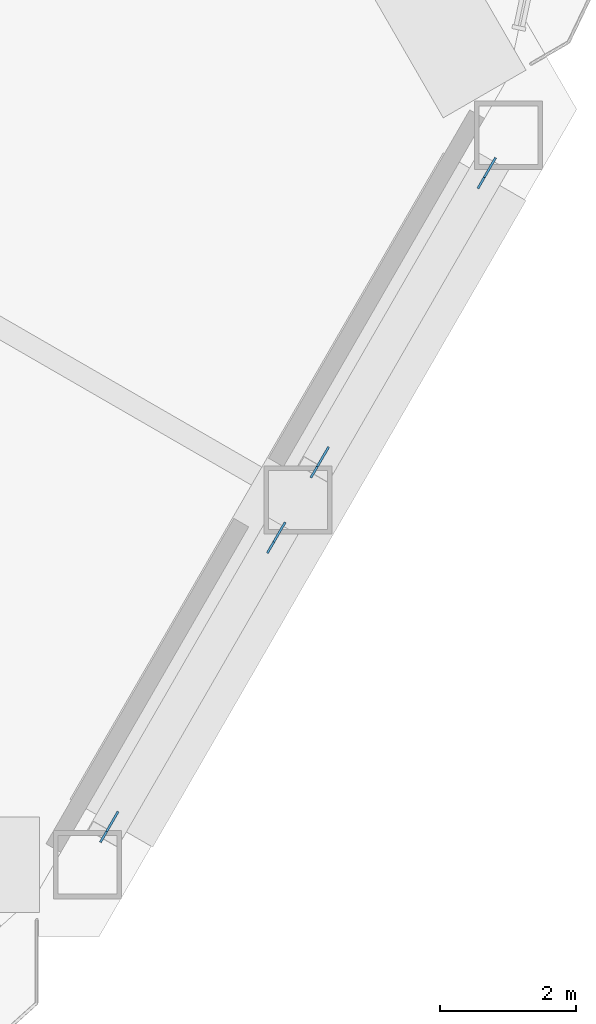
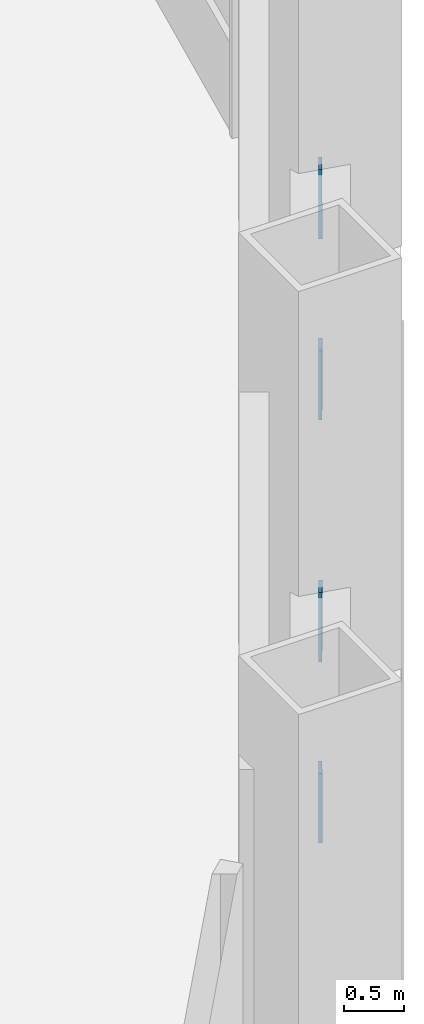
# One storey, part 15 of 22: 4 discrete accessories.
"""IFC4 building model written with IfcOpenShell, lengths in metres."""

import ifcopenshell
import ifcopenshell.guid

model = None  # the IFC model being written
_history = None  # IfcOwnerHistory: only IFC2X3 demands one
_inside = {}  # id of a spatial element -> (the spatial element, [elements in it])
_under = {}  # id of a project, library or spatial element -> (it, [spatial elements below it])
_declared = {}  # id of a project -> (the project, [libraries it declares])
_typed = {}  # id of a type object -> (the type object, [elements of that type])
_made_of = {}  # id of a material, layer set ... -> (it, [elements and type objects made of it])


def new_model(schema):
    """Start an empty IFC model of exactly this schema.

    Asked for "IFC4X3", IfcOpenShell would pick the latest addendum, in which some entities
    have other attributes; the version numbers below select the first issue.
    IFC2X3 requires an IfcOwnerHistory on every rooted entity: one is made here for all.
    """
    global model, _history
    if schema == "IFC4X3":
        model = ifcopenshell.file(schema_version=(4, 3, 0, 0))
    else:
        model = ifcopenshell.file(schema=schema)
    _inside.clear()
    _under.clear()
    _declared.clear()
    _typed.clear()
    _made_of.clear()
    _history = None
    if model.schema == "IFC2X3":
        org = make("IfcOrganization", Name="unknown")
        user = make(
            "IfcPersonAndOrganization",
            ThePerson=make("IfcPerson", FamilyName="unknown"),
            TheOrganization=org,
        )
        app = make(
            "IfcApplication",
            ApplicationDeveloper=org,
            Version="unknown",
            ApplicationFullName="unknown",
            ApplicationIdentifier="unknown",
        )
        _history = make(
            "IfcOwnerHistory",
            OwningUser=user,
            OwningApplication=app,
            ChangeAction="ADDED",
            CreationDate=0,
        )
    return model


def make(cls, **values):
    """One entity of the class cls with the attributes given. An attribute that is None is left unset."""
    return model.create_entity(
        cls, **{name: value for name, value in values.items() if value is not None}
    )


def rooted(cls, **values):
    """An entity with a GlobalId (a new one), such as an element, a storey or a relation."""
    return make(cls, GlobalId=ifcopenshell.guid.new(), OwnerHistory=_history, **values)


def si_unit(unit_type, name, prefix=None):
    """IfcSIUnit, for example si_unit("LENGTHUNIT", "METRE", prefix="MILLI")."""
    return make("IfcSIUnit", UnitType=unit_type, Prefix=prefix, Name=name)


def assignment(units):
    """IfcUnitAssignment: the units of a project."""
    return None if units is None else make("IfcUnitAssignment", Units=units)


def point(xyz):
    """IfcCartesianPoint."""
    return None if xyz is None else make("IfcCartesianPoint", Coordinates=xyz)


def direction(xyz):
    """IfcDirection."""
    return None if xyz is None else make("IfcDirection", DirectionRatios=xyz)


def frame(location, z_axis=None, x_axis=None):
    """IfcAxis2Placement3D, a coordinate frame: its origin and axes. An axis left out is left unset."""
    return make(
        "IfcAxis2Placement3D",
        Location=point(location),
        Axis=direction(z_axis),
        RefDirection=direction(x_axis),
    )


def frame_2d(location, x_axis=None):
    """IfcAxis2Placement2D, a coordinate frame in the plane: its origin and x axis."""
    return make(
        "IfcAxis2Placement2D", Location=point(location), RefDirection=direction(x_axis)
    )


def origin():
    """The frame at (0, 0, 0) with its axes left unset."""
    return frame((0.0, 0.0, 0.0))


def origin_2d():
    """The frame at (0, 0) in the plane with its x axis left unset."""
    return frame_2d((0.0, 0.0))


def place(relative_to, where):
    """IfcLocalPlacement: puts the frame where relative to a parent placement (None: the world)."""
    return make(
        "IfcLocalPlacement", PlacementRelTo=relative_to, RelativePlacement=where
    )


def context(
    kind, dimensions, precision=None, world=None, true_north=None, identifier=None
):
    """IfcGeometricRepresentationContext, for example the 3D "Model" context."""
    return make(
        "IfcGeometricRepresentationContext",
        ContextIdentifier=identifier,
        ContextType=kind,
        CoordinateSpaceDimension=dimensions,
        Precision=precision,
        WorldCoordinateSystem=world,
        TrueNorth=true_north,
    )


def subcontext(parent, identifier, kind, view, scale=None):
    """IfcGeometricRepresentationSubContext, for example "Body" below "Model"."""
    return make(
        "IfcGeometricRepresentationSubContext",
        ContextIdentifier=identifier,
        ContextType=kind,
        ParentContext=parent,
        TargetScale=scale,
        TargetView=view,
    )


def project(units=None, contexts=None):
    """IfcProject with its units and contexts."""
    return rooted(
        "IfcProject",
        Name="project",
        RepresentationContexts=contexts,
        UnitsInContext=assignment(units),
    )


def spatial(cls, under=None, at=None, **own):
    """A site, building, storey or space (cls), placed at a placement, below another one or the project."""
    s = rooted(cls, ObjectPlacement=at, **own)
    if under is not None:
        _under.setdefault(under.id(), (under, []))[1].append(s)
    return s


def profile(cls, at=None, kind="AREA", **sizes):
    """A parametric profile (cls). Its sizes go by their IFC names, for example OverallWidth=200.0."""
    return make(cls, ProfileType=kind, Position=at, **sizes)


def rectangle(**sizes):
    """IfcRectangleProfileDef."""
    return profile("IfcRectangleProfileDef", **sizes)


def extrude(swept, where, along, depth):
    """IfcExtrudedAreaSolid: the profile swept, set in the frame where, extruded along a direction by depth."""
    return make(
        "IfcExtrudedAreaSolid",
        SweptArea=swept,
        Position=where,
        ExtrudedDirection=direction(along),
        Depth=depth,
    )


def shape(context_of_items, identifier, shape_type, items):
    """IfcShapeRepresentation: the items that make up one representation, for example the "Body"."""
    return make(
        "IfcShapeRepresentation",
        ContextOfItems=context_of_items,
        RepresentationIdentifier=identifier,
        RepresentationType=shape_type,
        Items=items,
    )


def material(Name=None, Category=None):
    """IfcMaterial."""
    return make("IfcMaterial", Name=Name, Category=Category)


def material_profile(
    of_material, cross_section, Name=None, Category=None, Priority=None
):
    """IfcMaterialProfile: a cross section and its material."""
    return make(
        "IfcMaterialProfile",
        Name=Name,
        Material=of_material,
        Profile=cross_section,
        Priority=Priority,
        Category=Category,
    )


def profile_set(profiles, Name=None, composite=None):
    """IfcMaterialProfileSet."""
    return make(
        "IfcMaterialProfileSet",
        Name=Name,
        MaterialProfiles=profiles,
        CompositeProfile=composite,
    )


def made_of(thing, what):
    """Note that an element or type object is made of a material, layer set ...; save() writes the relation."""
    if what is not None:
        _made_of.setdefault(what.id(), (what, []))[1].append(thing)
    return thing


def type_object(cls, material=None, **own):
    """A type object (cls), such as IfcWallType, which elements share."""
    return made_of(rooted(cls, **own), material)


def element(
    cls,
    number,
    at=None,
    inside=None,
    cuts=None,
    type_object=None,
    material=None,
    context=None,
    identifier="Body",
    shape_type=None,
    held_by="IfcProductDefinitionShape",
    body=None,
    shapes=None,
    **own,
):
    """One element of the class cls, such as IfcWall. Its Tag is "e" and its number.

    at: its placement. inside: the storey or other place that contains it. cuts: it is an
    opening in that element (IfcRelVoidsElement). A single representation is given by context,
    identifier, shape_type and body (its items); several are given by shapes. held_by: the class
    of the entity that holds the representations. save() writes the other relations.
    """
    e = rooted(cls, Tag="e%d" % number, ObjectPlacement=at, **own)
    if body is not None:
        shapes = [shape(context, identifier, shape_type, body)]
    if shapes is not None:
        e.Representation = make(held_by, Representations=shapes)
    if inside is not None:
        _inside.setdefault(inside.id(), (inside, []))[1].append(e)
    if cuts is not None:
        rooted(
            "IfcRelVoidsElement", RelatingBuildingElement=cuts, RelatedOpeningElement=e
        )
    if type_object is not None:
        _typed.setdefault(type_object.id(), (type_object, []))[1].append(e)
    return made_of(e, material)


def aggregate(whole, parts):
    """IfcRelAggregates: a whole, such as a stair, and the parts it consists of."""
    return rooted("IfcRelAggregates", RelatingObject=whole, RelatedObjects=parts)


def save(model, path):
    """Write the relations noted so far, then the file.

    IfcRelAggregates (storeys below a building ...), IfcRelContainedInSpatialStructure (elements
    in a storey), IfcRelDefinesByType, IfcRelAssociatesMaterial and IfcRelDeclares: one each for
    every whole, place, type object, material and project.
    """
    for whole, parts in _under.values():
        aggregate(whole, parts)
    for where, things in _inside.values():
        rooted(
            "IfcRelContainedInSpatialStructure",
            RelatedElements=things,
            RelatingStructure=where,
        )
    for kind, things in _typed.values():
        rooted("IfcRelDefinesByType", RelatedObjects=things, RelatingType=kind)
    for what, things in _made_of.values():
        rooted("IfcRelAssociatesMaterial", RelatedObjects=things, RelatingMaterial=what)
    for by, libraries in _declared.values():
        rooted("IfcRelDeclares", RelatingContext=by, RelatedDefinitions=libraries)
    model.write(path)


model = new_model("IFC4")

# Units and contexts
model_context = context("Model", 3, precision=1e-05, world=origin(), true_north=direction((0.0, 1.0)))
body_context = subcontext(model_context, "Body", "Model", "MODEL_VIEW")
ifc_project = project(units=[si_unit("LENGTHUNIT", "METRE"), si_unit("AREAUNIT", "SQUARE_METRE"), si_unit("VOLUMEUNIT", "CUBIC_METRE"), si_unit("PLANEANGLEUNIT", "RADIAN"), si_unit("MASSUNIT", "GRAM", prefix="KILO")], contexts=[model_context])

# Site, building, storey
site_placement = place(None, origin())
site = spatial("IfcSite", under=ifc_project, at=site_placement, CompositionType="ELEMENT")
building_placement = place(site_placement, origin())
building = spatial("IfcBuilding", under=site, at=building_placement, Name="Cormorant Prow Tower", CompositionType="ELEMENT")
storey_placement = place(building_placement, frame((0.0, 0.0, 30.0)))
storey = spatial("IfcBuildingStorey", under=building, at=storey_placement, Name="L05", CompositionType="ELEMENT", Elevation=30.0)

# Discrete accessories
ifc_material = material(Name="Structural steel ASTM A500 Gr C", Category="steel")
ifc_material_profile = material_profile(ifc_material, rectangle(XDim=0.031982421875, YDim=0.60791015625, at=origin_2d()), Name="Gusset plate 32x608")
ifc_profile_set = profile_set([ifc_material_profile], Name="Structural steel ASTM A500 Gr C")
discrete_accessory_type = type_object("IfcDiscreteAccessoryType", Name="Gusset plate 32x608", PredefinedType="BRACKET", material=ifc_profile_set)
discrete_accessory_1_placement = place(storey_placement, frame((27.512939453125, -16.813232421875, 0.859375), z_axis=(0.476464602218, 0.823872174553, -0.306946449452), x_axis=(-0.865660382551, 0.500631703033, 0.0)))
element("IfcDiscreteAccessory", 1, at=discrete_accessory_1_placement, inside=storey, type_object=discrete_accessory_type, Name="Gusset plate GP1 L05.ESE00.g0", PredefinedType="BRACKET", context=body_context, shape_type="SweptSolid", body=[
    extrude(rectangle(XDim=0.031982421875, YDim=0.60791015625, at=origin_2d()), origin(), (0.0, 0.0, 1.0), 0.349853515625),
])
for number, where, z_axis, x_axis, name in (
    (2, (25.232421875, -20.763427734375, 2.32958984375), (-0.475651503409, -0.824369614413, 0.306871937683), (0.866161185697, -0.499764745047, 0.0), "Gusset plate GP1 L05.ESE00.g1"),
    (3, (30.597900390625, -11.47021484375, 0.859375), (0.475651503409, 0.824369614413, -0.306871937683), (-0.866161185697, 0.499764745047, 0.0), "Gusset plate GP1 L05.ESE01.g0"),
):
    element("IfcDiscreteAccessory", number, at=place(storey_placement, frame(where, z_axis=z_axis, x_axis=x_axis)), inside=storey, type_object=discrete_accessory_type, Name=name, PredefinedType="BRACKET", context=body_context, shape_type="SweptSolid", body=[
        extrude(rectangle(XDim=0.031982421875, YDim=0.60791015625, at=origin_2d()), origin(), (0.0, 0.0, 1.0), 0.35009765625),
    ])
discrete_accessory_2_placement = place(storey_placement, frame((28.3173828125, -15.42041015625, 2.32958984375), z_axis=(-0.476464602218, -0.823872174553, 0.306946449452), x_axis=(0.865660382551, -0.500631703033, 0.0)))
element("IfcDiscreteAccessory", 4, at=discrete_accessory_2_placement, inside=storey, type_object=discrete_accessory_type, Name="Gusset plate GP1 L05.ESE01.g1", PredefinedType="BRACKET", context=body_context, shape_type="SweptSolid", body=[
    extrude(rectangle(XDim=0.031982421875, YDim=0.60791015625, at=origin_2d()), origin(), (0.0, 0.0, 1.0), 0.349853515625),
])

save(model, "model.ifc")
